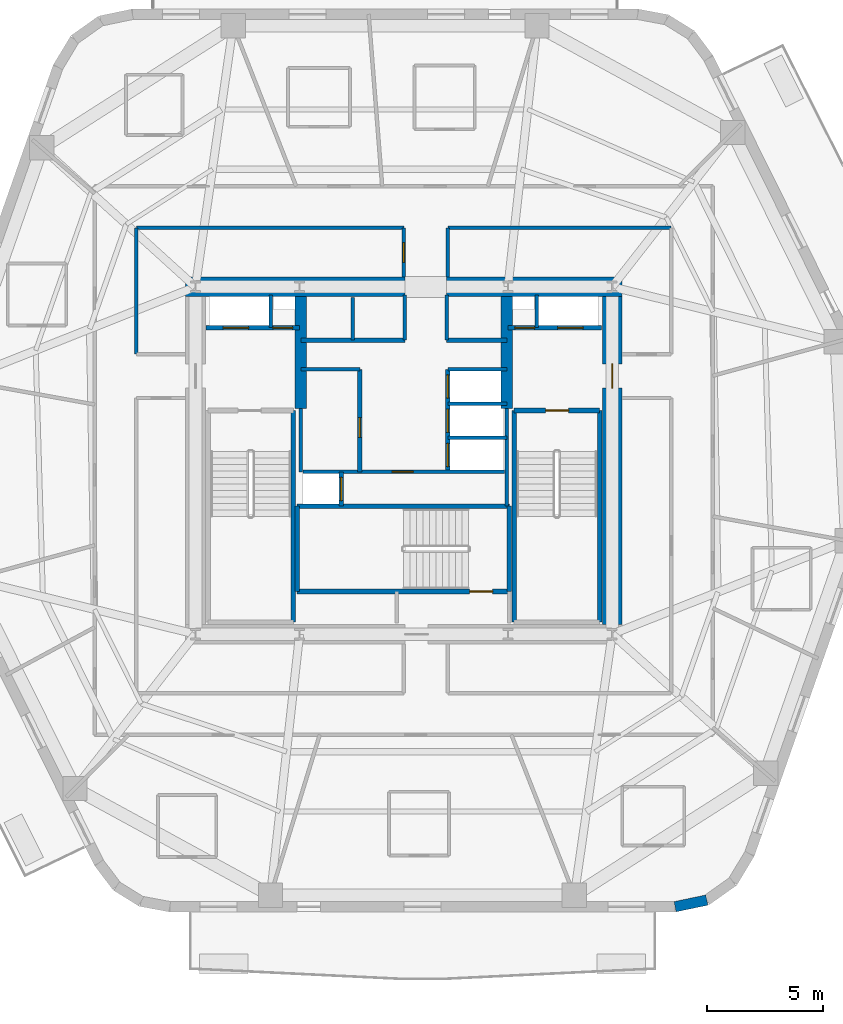
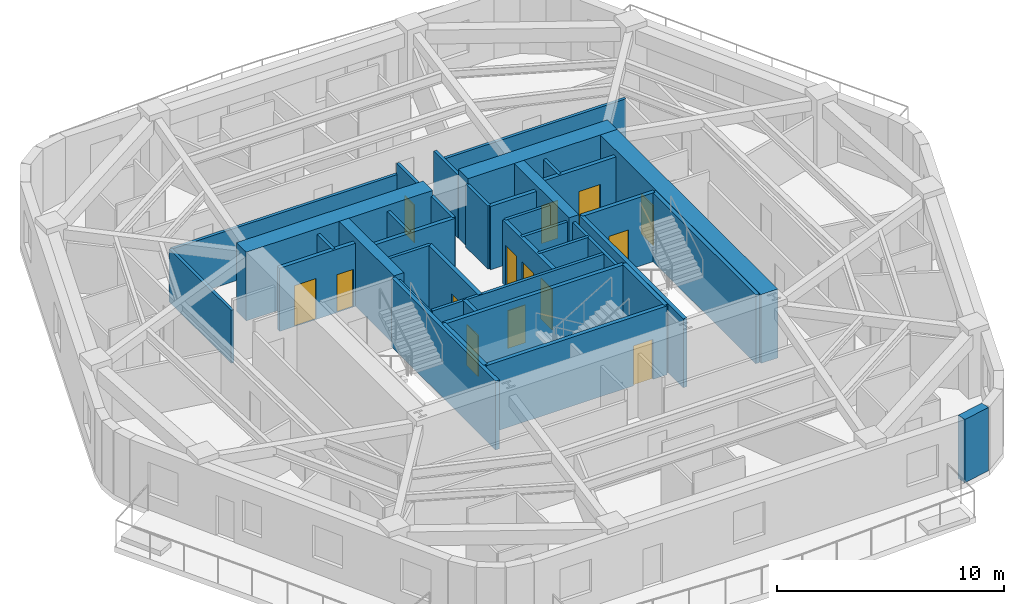
# One storey, part 4 of 10: 38 walls, 14 doors, 14 openings.
"""IFC4 building model written with IfcOpenShell, lengths in metres."""

from ifc_helpers import new_model, si_unit, direction, frame, frame_2d, origin, place, context, subcontext, project, spatial, rectangle, extrude, material, layer, layer_set, type_object, element, fill, save


model = new_model("IFC4")

# Units and contexts
model_context = context("Model", 3, precision=1e-05, world=origin(), true_north=direction((0.0, 1.0)))
body_context = subcontext(model_context, "Body", "Model", "MODEL_VIEW")
ifc_project = project(units=[si_unit("LENGTHUNIT", "METRE"), si_unit("AREAUNIT", "SQUARE_METRE"), si_unit("VOLUMEUNIT", "CUBIC_METRE"), si_unit("PLANEANGLEUNIT", "RADIAN"), si_unit("MASSUNIT", "GRAM", prefix="KILO")], contexts=[model_context])

# Site, building, storey
site_placement = place(None, origin())
site = spatial("IfcSite", under=ifc_project, at=site_placement, CompositionType="ELEMENT")
building_placement = place(site_placement, origin())
building = spatial("IfcBuilding", under=site, at=building_placement, Name="Kilnhurst Terrace Hotel", CompositionType="ELEMENT")
storey_placement = place(building_placement, frame((0.0, 0.0, 148.0)))
storey = spatial("IfcBuildingStorey", under=building, at=storey_placement, Name="L36", CompositionType="ELEMENT", Elevation=148.0)

# Walls
ifc_material_1 = material(Name="Precast concrete C40/50", Category="concrete")
ifc_layer_1 = layer(ifc_material_1, 0.449951171875, Name="Precast concrete C40/50")
ifc_layer_set_1 = layer_set([ifc_layer_1], Name="Precast concrete C40/50")
wall_type_1 = type_object("IfcWallType", Name="WL-BRK-450", PredefinedType="SOLIDWALL", material=ifc_layer_set_1)
wall_1_placement = place(storey_placement, frame((11.720458984375, -19.27490234375, 0.0), z_axis=(0.0, 0.0, 1.0), x_axis=(0.97893106758, 0.204191001093, 0.0)))
element("IfcWall", 1, at=wall_1_placement, inside=storey, type_object=wall_type_1, Name="L36 Rounded Corner Brick Wall C2.1", PredefinedType="SOLIDWALL", context=body_context, shape_type="SweptSolid", body=[
    extrude(rectangle(XDim=1.400146484375, YDim=0.449951171875, at=frame_2d((0.7001953125, 0.0))), origin(), (0.0, 0.0, 1.0), 3.39990234375),
])
ifc_material_2 = material(Name="Acoustic Double-Gypsum Corridor Partition Assembly")
ifc_layer_2 = layer(ifc_material_2, 0.14990234375, Name="Acoustic Double-Gypsum Corridor Partition Assembly")
ifc_layer_set_2 = layer_set([ifc_layer_2], Name="Acoustic Double-Gypsum Corridor Partition Assembly")
wall_type_2 = type_object("IfcWallType", Name="WL-COR-150", PredefinedType="PARTITIONING", material=ifc_layer_set_2)
wall_2_placement = place(storey_placement, frame((11.550048828125, 10.050048828125, 0.0), z_axis=(0.0, 0.0, 1.0), x_axis=(-1.0, 0.0, 0.0)))
element("IfcWall", 2, at=wall_2_placement, inside=storey, type_object=wall_type_2, Name="L36 Interior Wall WL-L36-COR-09", PredefinedType="PARTITIONING", context=body_context, shape_type="SweptSolid", body=[
    extrude(rectangle(XDim=9.650146484375, YDim=0.14990234375, at=frame_2d((4.8251953125, 0.0))), origin(), (0.0, 0.0, 1.0), 2.840087890625),
])
wall_3_placement = place(storey_placement, frame((1.89990234375, 10.050048828125, 0.0), z_axis=(0.0, 0.0, 1.0), x_axis=(0.0, -1.0, 0.0)))
element("IfcWall", 3, at=wall_3_placement, inside=storey, type_object=wall_type_2, Name="L36 Interior Wall WL-L36-COR-10", PredefinedType="PARTITIONING", context=body_context, shape_type="SweptSolid", body=[
    extrude(rectangle(XDim=2.125, YDim=0.14990234375, at=frame_2d((1.0625, 0.0))), origin(), (0.0, 0.0, 1.0), 3.39990234375),
])

# Wall, opening, door
wall_4_placement = place(storey_placement, frame((0.0, 7.925048828125, 0.0), z_axis=(0.0, 0.0, 1.0), x_axis=(0.0, 1.0, 0.0)))
wall_4 = element("IfcWall", 4, at=wall_4_placement, inside=storey, type_object=wall_type_2, Name="L36 Interior Wall WL-L36-COR-11", PredefinedType="PARTITIONING", context=body_context, shape_type="SweptSolid", body=[
    extrude(rectangle(XDim=2.125, YDim=0.14990234375, at=frame_2d((1.0625, 0.0))), origin(), (0.0, 0.0, 1.0), 3.39990234375),
])
opening_1_placement = place(wall_4_placement, frame((0.637939453125, 0.0, 0.0)))
opening_1 = element("IfcOpeningElement", 5, at=opening_1_placement, cuts=wall_4, Name="Opening D-60D", PredefinedType="OPENING", context=body_context, shape_type="SweptSolid", body=[
    extrude(rectangle(XDim=0.85009765625, YDim=2.030029296875, at=frame_2d((0.425048828125, 1.01513671875))), frame((0.0, 0.0849609375, 0.0), z_axis=(0.0, -1.0, 0.0), x_axis=(1.0, 0.0, 0.0)), (0.0, 0.0, 1.0), 0.169921875),
])
ifc_material_3 = material(Name="Painted Hollow Metal Steel ASTM A36 Riser Door", Category="steel")
door_type_1 = type_object("IfcDoorType", Name="DR-FD60-850", OperationType="NOTDEFINED", PredefinedType="DOOR", material=ifc_material_3)
door_1_placement = place(opening_1_placement, origin())
door_1 = element("IfcDoor", 6, at=door_1_placement, inside=storey, type_object=door_type_1, Name="L36 Floor Valet Equipment Store Door", OperationType="SINGLE_SWING_RIGHT", OverallHeight=2.030029296875, OverallWidth=0.85009765625, PredefinedType="DOOR", context=body_context, shape_type="SweptSolid", body=[
    extrude(rectangle(XDim=0.85009765625, YDim=2.030029296875, at=frame_2d((0.425048828125, 1.01513671875))), frame((0.0, 0.02490234375, 0.0), z_axis=(0.0, -1.0, 0.0), x_axis=(1.0, 0.0, 0.0)), (0.0, 0.0, 1.0), 0.050048828125),
])
fill(opening_1, door_1)

# Walls
wall_5_placement = place(storey_placement, frame((0.0, 10.050048828125, 0.0), z_axis=(0.0, 0.0, 1.0), x_axis=(-1.0, 0.0, 0.0)))
element("IfcWall", 7, at=wall_5_placement, inside=storey, type_object=wall_type_2, Name="L36 Interior Wall WL-L36-COR-12", PredefinedType="PARTITIONING", context=body_context, shape_type="SweptSolid", body=[
    extrude(rectangle(XDim=11.550048828125, YDim=0.14990234375, at=frame_2d((5.77490234375, 0.0))), origin(), (0.0, 0.0, 1.0), 2.840087890625),
])
wall_6_placement = place(storey_placement, frame((-11.550048828125, 10.050048828125, 0.0), z_axis=(0.0, 0.0, 1.0), x_axis=(0.0, -1.0, 0.0)))
element("IfcWall", 8, at=wall_6_placement, inside=storey, type_object=wall_type_2, Name="L36 Interior Wall WL-L36-COR-13", PredefinedType="PARTITIONING", context=body_context, shape_type="SweptSolid", body=[
    extrude(rectangle(XDim=5.449951171875, YDim=0.14990234375, at=frame_2d((2.72509765625, 0.0))), origin(), (0.0, 0.0, 1.0), 2.840087890625),
])
ifc_material_4 = material(Name="Concrete C80/95", Category="concrete")
ifc_layer_3 = layer(ifc_material_4, 0.85009765625, Name="Concrete C80/95")
ifc_layer_set_3 = layer_set([ifc_layer_3], Name="Concrete C80/95")
wall_type_3 = type_object("IfcWallType", Name="WL-CORE-850", PredefinedType="SHEAR", material=ifc_layer_set_3)
wall_7_placement = place(storey_placement, frame((-9.425048828125, 7.5, 0.0), z_axis=(0.0, 0.0, 1.0), x_axis=(1.0, 0.0, 0.0)))
element("IfcWall", 9, at=wall_7_placement, inside=storey, type_object=wall_type_3, Name="L36 Core North West Shear Wall", PredefinedType="SHEAR", context=body_context, shape_type="SweptSolid", body=[
    extrude(rectangle(XDim=9.47509765625, YDim=0.85009765625, at=frame_2d((4.737548828125, 0.0))), origin(), (0.0, 0.0, 1.0), 3.699951171875),
])
wall_8_placement = place(storey_placement, frame((1.85009765625, 7.5, 0.0), z_axis=(0.0, 0.0, 1.0), x_axis=(1.0, 0.0, 0.0)))
element("IfcWall", 10, at=wall_8_placement, inside=storey, type_object=wall_type_3, Name="L36 Core North East Shear Wall", PredefinedType="SHEAR", context=body_context, shape_type="SweptSolid", body=[
    extrude(rectangle(XDim=7.574951171875, YDim=0.85009765625, at=frame_2d((3.78759765625, 0.0))), origin(), (0.0, 0.0, 1.0), 3.699951171875),
])

# Wall, opening, door
wall_9_placement = place(storey_placement, frame((9.0, -7.074951171875, 0.0), z_axis=(0.0, 0.0, 1.0), x_axis=(0.0, 1.0, 0.0)))
wall_9 = element("IfcWall", 11, at=wall_9_placement, inside=storey, type_object=wall_type_3, Name="L36 Core East Shear Wall", PredefinedType="SHEAR", context=body_context, shape_type="SweptSolid", body=[
    extrude(rectangle(XDim=14.14990234375, YDim=0.85009765625, at=frame_2d((7.074951171875, 0.0))), origin(), (0.0, 0.0, 1.0), 3.699951171875),
])
opening_2_placement = place(wall_9_placement, frame((10.199951171875, 0.0, 0.0)))
opening_2 = element("IfcOpeningElement", 12, at=opening_2_placement, cuts=wall_9, Name="Opening D-90A", PredefinedType="OPENING", context=body_context, shape_type="SweptSolid", body=[
    extrude(rectangle(XDim=1.050048828125, YDim=2.14990234375, at=frame_2d((0.52490234375, 1.074951171875))), frame((0.0, 0.43505859375, 0.0), z_axis=(0.0, -1.0, 0.0), x_axis=(1.0, 0.0, 0.0)), (0.0, 0.0, 1.0), 0.8701171875),
])
ifc_material_5 = material(Name="Painted Hollow Metal Steel ASTM A36 Fire Door", Category="steel")
door_type_2 = type_object("IfcDoorType", Name="DR-FD90-1050", OperationType="NOTDEFINED", PredefinedType="DOOR", material=ifc_material_5)
door_2_placement = place(opening_2_placement, origin())
door_2 = element("IfcDoor", 13, at=door_2_placement, inside=storey, type_object=door_type_2, Name="L36 East Firefighting Lobby Door", OperationType="SINGLE_SWING_LEFT", OverallHeight=2.14990234375, OverallWidth=1.050048828125, PredefinedType="DOOR", context=body_context, shape_type="SweptSolid", body=[
    extrude(rectangle(XDim=1.050048828125, YDim=2.14990234375, at=frame_2d((0.52490234375, 1.074951171875))), frame((0.0, 0.02490234375, 0.0), z_axis=(0.0, -1.0, 0.0), x_axis=(1.0, 0.0, 0.0)), (0.0, 0.0, 1.0), 0.050048828125),
])
fill(opening_2, door_2)

# Walls
ifc_material_6 = material(Name="Concrete C60/75", Category="concrete")
ifc_layer_4 = layer(ifc_material_6, 0.5, Name="Concrete C60/75")
ifc_layer_set_4 = layer_set([ifc_layer_4], Name="Concrete C60/75")
wall_type_4 = type_object("IfcWallType", Name="WL-CORE-WEB-500", PredefinedType="SHEAR", material=ifc_layer_set_4)
for number, where, z_axis, x_axis, name in (
    (14, (-4.449951171875, 2.25, 0.0), (0.0, 0.0, 1.0), (0.0, 1.0, 0.0), "L36 Core Internal West Shear Web"),
    (15, (4.449951171875, 2.25, 0.0), (0.0, 0.0, 1.0), (0.0, 1.0, 0.0), "L36 Core Internal East Shear Web"),
):
    element("IfcWall", number, at=place(storey_placement, frame(where, z_axis=z_axis, x_axis=x_axis)), inside=storey, type_object=wall_type_4, Name=name, PredefinedType="SHEAR", context=body_context, shape_type="SweptSolid", body=[
        extrude(rectangle(XDim=4.824951171875, YDim=0.5, at=frame_2d((2.41259765625, 0.0))), origin(), (0.0, 0.0, 1.0), 3.699951171875),
    ])
ifc_material_7 = material(Name="Fire-Rated Gypsum Shaftliner Assembly")
ifc_layer_5 = layer(ifc_material_7, 0.14990234375, Name="Fire-Rated Gypsum Shaftliner Assembly")
ifc_layer_set_5 = layer_set([ifc_layer_5], Name="Fire-Rated Gypsum Shaftliner Assembly")
wall_type_5 = type_object("IfcWallType", Name="WL-SHAFT-150", PredefinedType="PARTITIONING", material=ifc_layer_set_5)
for number, where, z_axis, x_axis, name in (
    (16, (-5.75, 5.739990234375, 0.0), (0.0, 0.0, 1.0), (0.0, 1.0, 0.0), "L36 Interior Wall WL-L36-RIS1-DIV"),
    (17, (5.75, 5.739990234375, 0.0), (0.0, 0.0, 1.0), (0.0, 1.0, 0.0), "L36 Interior Wall WL-L36-RIS2-DIV"),
):
    element("IfcWall", number, at=place(storey_placement, frame(where, z_axis=z_axis, x_axis=x_axis)), inside=storey, type_object=wall_type_5, Name=name, PredefinedType="PARTITIONING", context=body_context, shape_type="SweptSolid", body=[
        extrude(rectangle(XDim=1.409912109375, YDim=0.14990234375, at=frame_2d((0.705078125, 0.0))), origin(), (0.0, 0.0, 1.0), 3.39990234375),
    ])
wall_10_placement = place(storey_placement, frame((-2.199951171875, 5.199951171875, 0.0), z_axis=(0.0, 0.0, 1.0), x_axis=(0.0, 1.0, 0.0)))
element("IfcWall", 18, at=wall_10_placement, inside=storey, type_object=wall_type_5, Name="L36 Interior Wall WL-L36-HR-DIV1", PredefinedType="PARTITIONING", context=body_context, shape_type="SweptSolid", body=[
    extrude(rectangle(XDim=1.85009765625, YDim=0.14990234375, at=frame_2d((0.925048828125, 0.0))), origin(), (0.0, 0.0, 1.0), 3.39990234375),
])
for number, where, z_axis, x_axis, name in (
    (19, (0.050048828125, 5.199951171875, 0.0), (0.0, 0.0, 1.0), (0.0, 1.0, 0.0), "L36 Interior Wall WL-L36-HR-PORTAL-W"),
    (20, (1.85009765625, 5.199951171875, 0.0), (0.0, 0.0, 1.0), (0.0, 1.0, 0.0), "L36 Interior Wall WL-L36-HR-PORTAL-E"),
):
    element("IfcWall", number, at=place(storey_placement, frame(where, z_axis=z_axis, x_axis=x_axis)), inside=storey, type_object=wall_type_5, Name=name, PredefinedType="PARTITIONING", context=body_context, shape_type="SweptSolid", body=[
        extrude(rectangle(XDim=1.949951171875, YDim=0.14990234375, at=frame_2d((0.97509765625, 0.0))), origin(), (0.0, 0.0, 1.0), 3.39990234375),
    ])
wall_11_placement = place(storey_placement, frame((-4.449951171875, -0.5, 0.0), z_axis=(0.0, 0.0, 1.0), x_axis=(0.0, 1.0, 0.0)))
element("IfcWall", 21, at=wall_11_placement, inside=storey, type_object=wall_type_5, Name="L36 Interior Wall WL-L36-XLOB-W", PredefinedType="PARTITIONING", context=body_context, shape_type="SweptSolid", body=[
    extrude(rectangle(XDim=2.75, YDim=0.14990234375, at=frame_2d((1.375, 0.0))), origin(), (0.0, 0.0, 1.0), 3.39990234375),
])
wall_12_placement = place(storey_placement, frame((4.449951171875, -1.971923828125, 0.0), z_axis=(0.0, 0.0, 1.0), x_axis=(0.0, 1.0, 0.0)))
element("IfcWall", 22, at=wall_12_placement, inside=storey, type_object=wall_type_5, Name="L36 Interior Wall WL-L36-XLOB-E", PredefinedType="PARTITIONING", context=body_context, shape_type="SweptSolid", body=[
    extrude(rectangle(XDim=4.221923828125, YDim=0.14990234375, at=frame_2d((2.11083984375, 0.0))), origin(), (0.0, 0.0, 1.0), 3.39990234375),
])
for number, where, z_axis, x_axis, name in (
    (23, (-4.449951171875, 3.93994140625, 0.0), (0.0, 0.0, 1.0), (1.0, 0.0, 0.0), "L36 Interior Wall WL-L36-LR-NORTH"),
    (24, (1.89990234375, 3.93994140625, 0.0), (0.0, 0.0, 1.0), (1.0, 0.0, 0.0), "L36 Interior Wall WL-L36-MR-NORTH"),
    (25, (1.89990234375, 0.97998046875, 0.0), (0.0, 0.0, 1.0), (1.0, 0.0, 0.0), "L36 Interior Wall WL-L36-MR-D1"),
    (26, (1.89990234375, 2.4599609375, 0.0), (0.0, 0.0, 1.0), (1.0, 0.0, 0.0), "L36 Interior Wall WL-L36-MR-D2"),
):
    element("IfcWall", number, at=place(storey_placement, frame(where, z_axis=z_axis, x_axis=x_axis)), inside=storey, type_object=wall_type_5, Name=name, PredefinedType="PARTITIONING", context=body_context, shape_type="SweptSolid", body=[
        extrude(rectangle(XDim=2.550048828125, YDim=0.14990234375, at=frame_2d((1.27490234375, 0.0))), origin(), (0.0, 0.0, 1.0), 3.39990234375),
    ])

# Wall, opening, door
wall_13_placement = place(storey_placement, frame((-4.360107421875, -0.489990234375, 0.0), z_axis=(0.0, 0.0, 1.0), x_axis=(1.0, 0.0, 0.0)))
wall_13 = element("IfcWall", 27, at=wall_13_placement, inside=storey, type_object=wall_type_5, Name="L36 Interior Wall WL-L36-BOH-N", PredefinedType="PARTITIONING", context=body_context, shape_type="SweptSolid", body=[
    extrude(rectangle(XDim=8.72021484375, YDim=0.14990234375, at=frame_2d((4.360107421875, 0.0))), origin(), (0.0, 0.0, 1.0), 3.39990234375),
])
opening_3_placement = place(wall_13_placement, frame((3.860107421875, 0.0, 0.0)))
opening_3 = element("IfcOpeningElement", 28, at=opening_3_placement, cuts=wall_13, Name="Opening D-60C", PredefinedType="OPENING", context=body_context, shape_type="SweptSolid", body=[
    extrude(rectangle(XDim=0.89990234375, YDim=2.030029296875, at=frame_2d((0.449951171875, 1.01513671875))), frame((0.0, 0.0849609375, 0.0), z_axis=(0.0, -1.0, 0.0), x_axis=(1.0, 0.0, 0.0)), (0.0, 0.0, 1.0), 0.169921875),
])
ifc_material_8 = material(Name="Painted Solid-Core Service Fire Door")
door_type_3 = type_object("IfcDoorType", Name="DR-FD60-900", OperationType="NOTDEFINED", PredefinedType="DOOR", material=ifc_material_8)
door_3_placement = place(opening_3_placement, origin())
door_3 = element("IfcDoor", 29, at=door_3_placement, inside=storey, type_object=door_type_3, Name="L36 Housekeeping Laundry Door", OperationType="SINGLE_SWING_LEFT", OverallHeight=2.030029296875, OverallWidth=0.89990234375, PredefinedType="DOOR", context=body_context, shape_type="SweptSolid", body=[
    extrude(rectangle(XDim=0.89990234375, YDim=2.030029296875, at=frame_2d((0.449951171875, 1.01513671875))), frame((0.0, 0.02490234375, 0.0), z_axis=(0.0, -1.0, 0.0), x_axis=(1.0, 0.0, 0.0)), (0.0, 0.0, 1.0), 0.050048828125),
])
fill(opening_3, door_3)

# Wall, openings, doors
ifc_material_9 = material(Name="Autoclaved Aerated Concrete C30/37 and Gypsum Shaft Assembly", Category="concrete")
ifc_layer_6 = layer(ifc_material_9, 0.199951171875, Name="Autoclaved Aerated Concrete C30/37 and Gypsum Shaft Assembly")
ifc_layer_set_6 = layer_set([ifc_layer_6], Name="Autoclaved Aerated Concrete C30/37 and Gypsum Shaft Assembly")
wall_type_6 = type_object("IfcWallType", Name="WL-SHAFT-200", PredefinedType="PARTITIONING", material=ifc_layer_set_6)
wall_14_placement = place(storey_placement, frame((-8.550048828125, 5.739990234375, 0.0), z_axis=(0.0, 0.0, 1.0), x_axis=(1.0, 0.0, 0.0)))
wall_14 = element("IfcWall", 30, at=wall_14_placement, inside=storey, type_object=wall_type_6, Name="L36 Interior Wall WL-L36-FSAE1-S", PredefinedType="PARTITIONING", context=body_context, shape_type="SweptSolid", body=[
    extrude(rectangle(XDim=4.050048828125, YDim=0.199951171875, at=frame_2d((2.02490234375, 0.0))), origin(), (0.0, 0.0, 1.0), 3.39990234375),
])
opening_4_placement = place(wall_14_placement, frame((0.75, 0.0, 0.0)))
opening_4 = element("IfcOpeningElement", 31, at=opening_4_placement, cuts=wall_14, Name="Opening LD-F1", PredefinedType="OPENING", context=body_context, shape_type="SweptSolid", body=[
    extrude(rectangle(XDim=1.10009765625, YDim=2.199951171875, at=frame_2d((0.550048828125, 1.10009765625))), frame((0.0, 0.10986328125, 0.0), z_axis=(0.0, -1.0, 0.0), x_axis=(1.0, 0.0, 0.0)), (0.0, 0.0, 1.0), 0.219970703125),
])
opening_5_placement = place(wall_14_placement, frame((2.89990234375, 0.0, 0.0)))
opening_5 = element("IfcOpeningElement", 32, at=opening_5_placement, cuts=wall_14, Name="Opening D-60D", PredefinedType="OPENING", context=body_context, shape_type="SweptSolid", body=[
    extrude(rectangle(XDim=0.85009765625, YDim=2.030029296875, at=frame_2d((0.425048828125, 1.01513671875))), frame((0.0, 0.10986328125, 0.0), z_axis=(0.0, -1.0, 0.0), x_axis=(1.0, 0.0, 0.0)), (0.0, 0.0, 1.0), 0.219970703125),
])
door_4_placement = place(opening_5_placement, origin())
door_4 = element("IfcDoor", 33, at=door_4_placement, inside=storey, type_object=door_type_1, Name="L36 Electrical Riser Door", OperationType="SINGLE_SWING_LEFT", OverallHeight=2.030029296875, OverallWidth=0.85009765625, PredefinedType="DOOR", context=body_context, shape_type="SweptSolid", body=[
    extrude(rectangle(XDim=0.85009765625, YDim=2.030029296875, at=frame_2d((0.425048828125, 1.01513671875))), frame((0.0, 0.02490234375, 0.0), z_axis=(0.0, -1.0, 0.0), x_axis=(1.0, 0.0, 0.0)), (0.0, 0.0, 1.0), 0.050048828125),
])
fill(opening_5, door_4)
ifc_material_10 = material(Name="Bronze-Anodized Stainless Steel AISI 316L Sliding Door", Category="steel")
door_type_4 = type_object("IfcDoorType", Name="DR-LIFT-1100", OperationType="NOTDEFINED", PredefinedType="DOOR", material=ifc_material_10)
door_5_placement = place(opening_4_placement, origin())
door_5 = element("IfcDoor", 34, at=door_5_placement, inside=storey, type_object=door_type_4, Name="L36 FSAE-1 Landing Door", OperationType="SLIDING_TO_LEFT", OverallHeight=2.199951171875, OverallWidth=1.10009765625, PredefinedType="DOOR", context=body_context, shape_type="SweptSolid", body=[
    extrude(rectangle(XDim=1.10009765625, YDim=2.199951171875, at=frame_2d((0.550048828125, 1.10009765625))), frame((0.0, 0.02490234375, 0.0), z_axis=(0.0, -1.0, 0.0), x_axis=(1.0, 0.0, 0.0)), (0.0, 0.0, 1.0), 0.050048828125),
])
fill(opening_4, door_5)

wall_15_placement = place(storey_placement, frame((4.5, 5.739990234375, 0.0), z_axis=(0.0, 0.0, 1.0), x_axis=(1.0, 0.0, 0.0)))
wall_15 = element("IfcWall", 35, at=wall_15_placement, inside=storey, type_object=wall_type_6, Name="L36 Interior Wall WL-L36-FSAE2-S", PredefinedType="PARTITIONING", context=body_context, shape_type="SweptSolid", body=[
    extrude(rectangle(XDim=4.050048828125, YDim=0.199951171875, at=frame_2d((2.02490234375, 0.0))), origin(), (0.0, 0.0, 1.0), 3.39990234375),
])
opening_6_placement = place(wall_15_placement, frame((0.300048828125, 0.0, 0.0)))
opening_6 = element("IfcOpeningElement", 36, at=opening_6_placement, cuts=wall_15, Name="Opening D-60D", PredefinedType="OPENING", context=body_context, shape_type="SweptSolid", body=[
    extrude(rectangle(XDim=0.85009765625, YDim=2.030029296875, at=frame_2d((0.425048828125, 1.01513671875))), frame((0.0, 0.10986328125, 0.0), z_axis=(0.0, -1.0, 0.0), x_axis=(1.0, 0.0, 0.0)), (0.0, 0.0, 1.0), 0.219970703125),
])
opening_7_placement = place(wall_15_placement, frame((2.14990234375, 0.0, 0.0)))
opening_7 = element("IfcOpeningElement", 37, at=opening_7_placement, cuts=wall_15, Name="Opening LD-F2", PredefinedType="OPENING", context=body_context, shape_type="SweptSolid", body=[
    extrude(rectangle(XDim=1.10009765625, YDim=2.199951171875, at=frame_2d((0.550048828125, 1.10009765625))), frame((0.0, 0.10986328125, 0.0), z_axis=(0.0, -1.0, 0.0), x_axis=(1.0, 0.0, 0.0)), (0.0, 0.0, 1.0), 0.219970703125),
])
door_6_placement = place(opening_6_placement, origin())
door_6 = element("IfcDoor", 38, at=door_6_placement, inside=storey, type_object=door_type_1, Name="L36 Telecom Riser Door", OperationType="SINGLE_SWING_RIGHT", OverallHeight=2.030029296875, OverallWidth=0.85009765625, PredefinedType="DOOR", context=body_context, shape_type="SweptSolid", body=[
    extrude(rectangle(XDim=0.85009765625, YDim=2.030029296875, at=frame_2d((0.425048828125, 1.01513671875))), frame((0.0, 0.02490234375, 0.0), z_axis=(0.0, -1.0, 0.0), x_axis=(1.0, 0.0, 0.0)), (0.0, 0.0, 1.0), 0.050048828125),
])
fill(opening_6, door_6)
door_7_placement = place(opening_7_placement, origin())
door_7 = element("IfcDoor", 39, at=door_7_placement, inside=storey, type_object=door_type_4, Name="L36 FSAE-2 Landing Door", OperationType="SLIDING_TO_RIGHT", OverallHeight=2.199951171875, OverallWidth=1.10009765625, PredefinedType="DOOR", context=body_context, shape_type="SweptSolid", body=[
    extrude(rectangle(XDim=1.10009765625, YDim=2.199951171875, at=frame_2d((0.550048828125, 1.10009765625))), frame((0.0, 0.02490234375, 0.0), z_axis=(0.0, -1.0, 0.0), x_axis=(1.0, 0.0, 0.0)), (0.0, 0.0, 1.0), 0.050048828125),
])
fill(opening_7, door_7)

# Wall, opening, door
wall_16_placement = place(storey_placement, frame((-2.699951171875, -1.971923828125, 0.0), z_axis=(0.0, 0.0, 1.0), x_axis=(0.0, 1.0, 0.0)))
wall_16 = element("IfcWall", 40, at=wall_16_placement, inside=storey, type_object=wall_type_6, Name="L36 Interior Wall WL-L36-SRV1-E", PredefinedType="PARTITIONING", context=body_context, shape_type="SweptSolid", body=[
    extrude(rectangle(XDim=1.471923828125, YDim=0.199951171875, at=frame_2d((0.73583984375, 0.0))), origin(), (0.0, 0.0, 1.0), 3.39990234375),
])
opening_8_placement = place(wall_16_placement, frame((0.239990234375, 0.0, 0.0)))
opening_8 = element("IfcOpeningElement", 41, at=opening_8_placement, cuts=wall_16, Name="Opening LD-SV", PredefinedType="OPENING", context=body_context, shape_type="SweptSolid", body=[
    extrude(rectangle(XDim=1.0, YDim=2.199951171875, at=frame_2d((0.5, 1.10009765625))), frame((0.0, 0.10986328125, 0.0), z_axis=(0.0, -1.0, 0.0), x_axis=(1.0, 0.0, 0.0)), (0.0, 0.0, 1.0), 0.219970703125),
])
door_type_5 = type_object("IfcDoorType", Name="DR-LIFT-1000", OperationType="NOTDEFINED", PredefinedType="DOOR", material=ifc_material_10)
door_8_placement = place(opening_8_placement, origin())
door_8 = element("IfcDoor", 42, at=door_8_placement, inside=storey, type_object=door_type_5, Name="L36 Service Lift SRV-1 Landing Door", OperationType="SLIDING_TO_LEFT", OverallHeight=2.199951171875, OverallWidth=1.0, PredefinedType="DOOR", context=body_context, shape_type="SweptSolid", body=[
    extrude(rectangle(XDim=1.0, YDim=2.199951171875, at=frame_2d((0.5, 1.10009765625))), frame((0.0, 0.02490234375, 0.0), z_axis=(0.0, -1.0, 0.0), x_axis=(1.0, 0.0, 0.0)), (0.0, 0.0, 1.0), 0.050048828125),
])
fill(opening_8, door_8)

# Walls
wall_17_placement = place(storey_placement, frame((-4.449951171875, 5.199951171875, 0.0), z_axis=(0.0, 0.0, 1.0), x_axis=(1.0, 0.0, 0.0)))
element("IfcWall", 43, at=wall_17_placement, inside=storey, type_object=wall_type_6, Name="L36 Interior Wall WL-L36-HR-SW", PredefinedType="PARTITIONING", context=body_context, shape_type="SweptSolid", body=[
    extrude(rectangle(XDim=4.5, YDim=0.199951171875, at=frame_2d((2.25, 0.0))), origin(), (0.0, 0.0, 1.0), 3.39990234375),
])
wall_18_placement = place(storey_placement, frame((1.85009765625, 5.199951171875, 0.0), z_axis=(0.0, 0.0, 1.0), x_axis=(1.0, 0.0, 0.0)))
element("IfcWall", 44, at=wall_18_placement, inside=storey, type_object=wall_type_6, Name="L36 Interior Wall WL-L36-HR-SE", PredefinedType="PARTITIONING", context=body_context, shape_type="SweptSolid", body=[
    extrude(rectangle(XDim=2.599853515625, YDim=0.199951171875, at=frame_2d((1.2998046875, 0.0))), origin(), (0.0, 0.0, 1.0), 3.39990234375),
])

# Wall, opening, door
wall_19_placement = place(storey_placement, frame((-1.89990234375, -0.5, 0.0), z_axis=(0.0, 0.0, 1.0), x_axis=(0.0, 1.0, 0.0)))
wall_19 = element("IfcWall", 45, at=wall_19_placement, inside=storey, type_object=wall_type_6, Name="L36 Interior Wall WL-L36-LR-FRONT", PredefinedType="PARTITIONING", context=body_context, shape_type="SweptSolid", body=[
    extrude(rectangle(XDim=4.43994140625, YDim=0.199951171875, at=frame_2d((2.219970703125, 0.0))), origin(), (0.0, 0.0, 1.0), 3.39990234375),
])
opening_9_placement = place(wall_19_placement, frame((1.5, 0.0, 0.0)))
opening_9 = element("IfcOpeningElement", 46, at=opening_9_placement, cuts=wall_19, Name="Opening D-60D", PredefinedType="OPENING", context=body_context, shape_type="SweptSolid", body=[
    extrude(rectangle(XDim=0.85009765625, YDim=2.030029296875, at=frame_2d((0.425048828125, 1.01513671875))), frame((0.0, 0.10986328125, 0.0), z_axis=(0.0, -1.0, 0.0), x_axis=(1.0, 0.0, 0.0)), (0.0, 0.0, 1.0), 0.219970703125),
])
door_9_placement = place(opening_9_placement, origin())
door_9 = element("IfcDoor", 47, at=door_9_placement, inside=storey, type_object=door_type_1, Name="L36 Reclaimed Linen Room Door", OperationType="SINGLE_SWING_LEFT", OverallHeight=2.030029296875, OverallWidth=0.85009765625, PredefinedType="DOOR", context=body_context, shape_type="SweptSolid", body=[
    extrude(rectangle(XDim=0.85009765625, YDim=2.030029296875, at=frame_2d((0.425048828125, 1.01513671875))), frame((0.0, 0.02490234375, 0.0), z_axis=(0.0, -1.0, 0.0), x_axis=(1.0, 0.0, 0.0)), (0.0, 0.0, 1.0), 0.050048828125),
])
fill(opening_9, door_9)

# Wall, openings, doors
wall_20_placement = place(storey_placement, frame((1.89990234375, -0.5, 0.0), z_axis=(0.0, 0.0, 1.0), x_axis=(0.0, 1.0, 0.0)))
wall_20 = element("IfcWall", 48, at=wall_20_placement, inside=storey, type_object=wall_type_6, Name="L36 Interior Wall WL-L36-MR-FRONT", PredefinedType="PARTITIONING", context=body_context, shape_type="SweptSolid", body=[
    extrude(rectangle(XDim=4.43994140625, YDim=0.199951171875, at=frame_2d((2.219970703125, 0.0))), origin(), (0.0, 0.0, 1.0), 3.39990234375),
])
opening_10_placement = place(wall_20_placement, frame((0.239990234375, 0.0, 0.0)))
opening_10 = element("IfcOpeningElement", 49, at=opening_10_placement, cuts=wall_20, Name="Opening LD-MR", PredefinedType="OPENING", context=body_context, shape_type="SweptSolid", body=[
    extrude(rectangle(XDim=1.0, YDim=2.199951171875, at=frame_2d((0.5, 1.10009765625))), frame((0.0, 0.10986328125, 0.0), z_axis=(0.0, -1.0, 0.0), x_axis=(1.0, 0.0, 0.0)), (0.0, 0.0, 1.0), 0.219970703125),
])
opening_11_placement = place(wall_20_placement, frame((1.719970703125, 0.0, 0.0)))
opening_11 = element("IfcOpeningElement", 50, at=opening_11_placement, cuts=wall_20, Name="Opening LD-MR", PredefinedType="OPENING", context=body_context, shape_type="SweptSolid", body=[
    extrude(rectangle(XDim=1.0, YDim=2.199951171875, at=frame_2d((0.5, 1.10009765625))), frame((0.0, 0.10986328125, 0.0), z_axis=(0.0, -1.0, 0.0), x_axis=(1.0, 0.0, 0.0)), (0.0, 0.0, 1.0), 0.219970703125),
])
opening_12_placement = place(wall_20_placement, frame((3.199951171875, 0.0, 0.0)))
opening_12 = element("IfcOpeningElement", 51, at=opening_12_placement, cuts=wall_20, Name="Opening LD-MR", PredefinedType="OPENING", context=body_context, shape_type="SweptSolid", body=[
    extrude(rectangle(XDim=1.0, YDim=2.199951171875, at=frame_2d((0.5, 1.10009765625))), frame((0.0, 0.10986328125, 0.0), z_axis=(0.0, -1.0, 0.0), x_axis=(1.0, 0.0, 0.0)), (0.0, 0.0, 1.0), 0.219970703125),
])
door_10_placement = place(opening_10_placement, origin())
door_10 = element("IfcDoor", 52, at=door_10_placement, inside=storey, type_object=door_type_5, Name="L36 Mid Rise Lift MR-1 Landing Door", OperationType="SLIDING_TO_RIGHT", OverallHeight=2.199951171875, OverallWidth=1.0, PredefinedType="DOOR", context=body_context, shape_type="SweptSolid", body=[
    extrude(rectangle(XDim=1.0, YDim=2.199951171875, at=frame_2d((0.5, 1.10009765625))), frame((0.0, 0.02490234375, 0.0), z_axis=(0.0, -1.0, 0.0), x_axis=(1.0, 0.0, 0.0)), (0.0, 0.0, 1.0), 0.050048828125),
])
fill(opening_10, door_10)
door_11_placement = place(opening_11_placement, origin())
door_11 = element("IfcDoor", 53, at=door_11_placement, inside=storey, type_object=door_type_5, Name="L36 Mid Rise Lift MR-2 Landing Door", OperationType="SLIDING_TO_RIGHT", OverallHeight=2.199951171875, OverallWidth=1.0, PredefinedType="DOOR", context=body_context, shape_type="SweptSolid", body=[
    extrude(rectangle(XDim=1.0, YDim=2.199951171875, at=frame_2d((0.5, 1.10009765625))), frame((0.0, 0.02490234375, 0.0), z_axis=(0.0, -1.0, 0.0), x_axis=(1.0, 0.0, 0.0)), (0.0, 0.0, 1.0), 0.050048828125),
])
fill(opening_11, door_11)
door_12_placement = place(opening_12_placement, origin())
door_12 = element("IfcDoor", 54, at=door_12_placement, inside=storey, type_object=door_type_5, Name="L36 Mid Rise Lift MR-3 Landing Door", OperationType="SLIDING_TO_RIGHT", OverallHeight=2.199951171875, OverallWidth=1.0, PredefinedType="DOOR", context=body_context, shape_type="SweptSolid", body=[
    extrude(rectangle(XDim=1.0, YDim=2.199951171875, at=frame_2d((0.5, 1.10009765625))), frame((0.0, 0.02490234375, 0.0), z_axis=(0.0, -1.0, 0.0), x_axis=(1.0, 0.0, 0.0)), (0.0, 0.0, 1.0), 0.050048828125),
])
fill(opening_12, door_12)

# Walls
ifc_material_11 = material(Name="Concrete C50/60", Category="concrete")
ifc_layer_7 = layer(ifc_material_11, 0.199951171875, Name="Concrete C50/60")
ifc_layer_set_7 = layer_set([ifc_layer_7], Name="Concrete C50/60")
wall_type_7 = type_object("IfcWallType", Name="WL-STAIR-RC-200", PredefinedType="SHEAR", material=ifc_layer_set_7)
for number, where, z_axis, x_axis, name in (
    (55, (-4.77197265625, -6.985107421875, 0.0), (0.0, 0.0, 1.0), (0.0, 1.0, 0.0), "L36 Structural Stair Shaft Wall WL-L36-ST1-E"),
    (56, (4.77197265625, -6.985107421875, 0.0), (0.0, 0.0, 1.0), (0.0, 1.0, 0.0), "L36 Structural Stair Shaft Wall WL-L36-ST2-W"),
    (57, (8.4580078125, -6.985107421875, 0.0), (0.0, 0.0, 1.0), (0.0, 1.0, 0.0), "L36 Structural Stair Shaft Wall WL-L36-ST2-E"),
):
    element("IfcWall", number, at=place(storey_placement, frame(where, z_axis=z_axis, x_axis=x_axis)), inside=storey, type_object=wall_type_7, Name=name, PredefinedType="SHEAR", context=body_context, shape_type="SweptSolid", body=[
        extrude(rectangle(XDim=9.14306640625, YDim=0.199951171875, at=frame_2d((4.571533203125, 0.0))), origin(), (0.0, 0.0, 1.0), 3.699951171875),
    ])

# Wall, opening, door
wall_21_placement = place(storey_placement, frame((4.77197265625, 2.157958984375, 0.0), z_axis=(0.0, 0.0, 1.0), x_axis=(1.0, 0.0, 0.0)))
wall_21 = element("IfcWall", 58, at=wall_21_placement, inside=storey, type_object=wall_type_7, Name="L36 Structural Stair Shaft Wall WL-L36-ST2-N", PredefinedType="SHEAR", context=body_context, shape_type="SweptSolid", body=[
    extrude(rectangle(XDim=3.68603515625, YDim=0.199951171875, at=frame_2d((1.843017578125, 0.0))), origin(), (0.0, 0.0, 1.0), 3.699951171875),
])
opening_13_placement = place(wall_21_placement, frame((1.35009765625, 0.0, 0.0)))
opening_13 = element("IfcOpeningElement", 59, at=opening_13_placement, cuts=wall_21, Name="Opening D-90B", PredefinedType="OPENING", context=body_context, shape_type="SweptSolid", body=[
    extrude(rectangle(XDim=1.0, YDim=2.14990234375, at=frame_2d((0.5, 1.074951171875))), frame((0.0, 0.10986328125, 0.0), z_axis=(0.0, -1.0, 0.0), x_axis=(1.0, 0.0, 0.0)), (0.0, 0.0, 1.0), 0.219970703125),
])
door_type_6 = type_object("IfcDoorType", Name="DR-FD90-1000", OperationType="NOTDEFINED", PredefinedType="DOOR", material=ifc_material_5)
door_13_placement = place(opening_13_placement, origin())
door_13 = element("IfcDoor", 60, at=door_13_placement, inside=storey, type_object=door_type_6, Name="L36 Stair ST-2 Door", OperationType="SINGLE_SWING_RIGHT", OverallHeight=2.14990234375, OverallWidth=1.0, PredefinedType="DOOR", context=body_context, shape_type="SweptSolid", body=[
    extrude(rectangle(XDim=1.0, YDim=2.14990234375, at=frame_2d((0.5, 1.074951171875))), frame((0.0, 0.02490234375, 0.0), z_axis=(0.0, -1.0, 0.0), x_axis=(1.0, 0.0, 0.0)), (0.0, 0.0, 1.0), 0.050048828125),
])
fill(opening_13, door_13)

# Wall
wall_22_placement = place(storey_placement, frame((-4.60791015625, -5.657958984375, 0.0), z_axis=(0.0, 0.0, 1.0), x_axis=(0.0, 1.0, 0.0)))
element("IfcWall", 61, at=wall_22_placement, inside=storey, type_object=wall_type_7, Name="L36 Structural Stair Shaft Wall WL-L36-ST3-W", PredefinedType="SHEAR", context=body_context, shape_type="SweptSolid", body=[
    extrude(rectangle(XDim=3.68603515625, YDim=0.199951171875, at=frame_2d((1.843017578125, 0.0))), origin(), (0.0, 0.0, 1.0), 3.699951171875),
])

# Wall, opening, door
wall_23_placement = place(storey_placement, frame((-4.60791015625, -5.657958984375, 0.0), z_axis=(0.0, 0.0, 1.0), x_axis=(1.0, 0.0, 0.0)))
wall_23 = element("IfcWall", 62, at=wall_23_placement, inside=storey, type_object=wall_type_7, Name="L36 Structural Stair Shaft Wall WL-L36-ST3-S", PredefinedType="SHEAR", context=body_context, shape_type="SweptSolid", body=[
    extrude(rectangle(XDim=9.166015625, YDim=0.199951171875, at=frame_2d((4.5830078125, 0.0))), origin(), (0.0, 0.0, 1.0), 3.699951171875),
])
opening_14_placement = place(wall_23_placement, frame((7.449951171875, 0.0, 0.0)))
opening_14 = element("IfcOpeningElement", 63, at=opening_14_placement, cuts=wall_23, Name="Opening D-90B", PredefinedType="OPENING", context=body_context, shape_type="SweptSolid", body=[
    extrude(rectangle(XDim=1.0, YDim=2.14990234375, at=frame_2d((0.5, 1.074951171875))), frame((0.0, 0.10986328125, 0.0), z_axis=(0.0, -1.0, 0.0), x_axis=(1.0, 0.0, 0.0)), (0.0, 0.0, 1.0), 0.219970703125),
])
door_14_placement = place(opening_14_placement, origin())
door_14 = element("IfcDoor", 64, at=door_14_placement, inside=storey, type_object=door_type_6, Name="L36 Stair ST-3 Shaft Door", OperationType="SINGLE_SWING_LEFT", OverallHeight=2.14990234375, OverallWidth=1.0, PredefinedType="DOOR", context=body_context, shape_type="SweptSolid", body=[
    extrude(rectangle(XDim=1.0, YDim=2.14990234375, at=frame_2d((0.5, 1.074951171875))), frame((0.0, 0.02490234375, 0.0), z_axis=(0.0, -1.0, 0.0), x_axis=(1.0, 0.0, 0.0)), (0.0, 0.0, 1.0), 0.050048828125),
])
fill(opening_14, door_14)

# Walls
wall_24_placement = place(storey_placement, frame((-4.60791015625, -1.971923828125, 0.0), z_axis=(0.0, 0.0, 1.0), x_axis=(1.0, 0.0, 0.0)))
element("IfcWall", 65, at=wall_24_placement, inside=storey, type_object=wall_type_7, Name="L36 Structural Stair Shaft Wall WL-L36-ST3-N", PredefinedType="SHEAR", context=body_context, shape_type="SweptSolid", body=[
    extrude(rectangle(XDim=9.166015625, YDim=0.199951171875, at=frame_2d((4.5830078125, 0.0))), origin(), (0.0, 0.0, 1.0), 3.699951171875),
])
wall_25_placement = place(storey_placement, frame((4.55810546875, -5.657958984375, 0.0), z_axis=(0.0, 0.0, 1.0), x_axis=(0.0, 1.0, 0.0)))
element("IfcWall", 66, at=wall_25_placement, inside=storey, type_object=wall_type_7, Name="L36 Structural Stair Shaft Wall WL-L36-ST3-E", PredefinedType="SHEAR", context=body_context, shape_type="SweptSolid", body=[
    extrude(rectangle(XDim=3.68603515625, YDim=0.199951171875, at=frame_2d((1.843017578125, 0.0))), origin(), (0.0, 0.0, 1.0), 3.699951171875),
])

save(model, "model.ifc")
